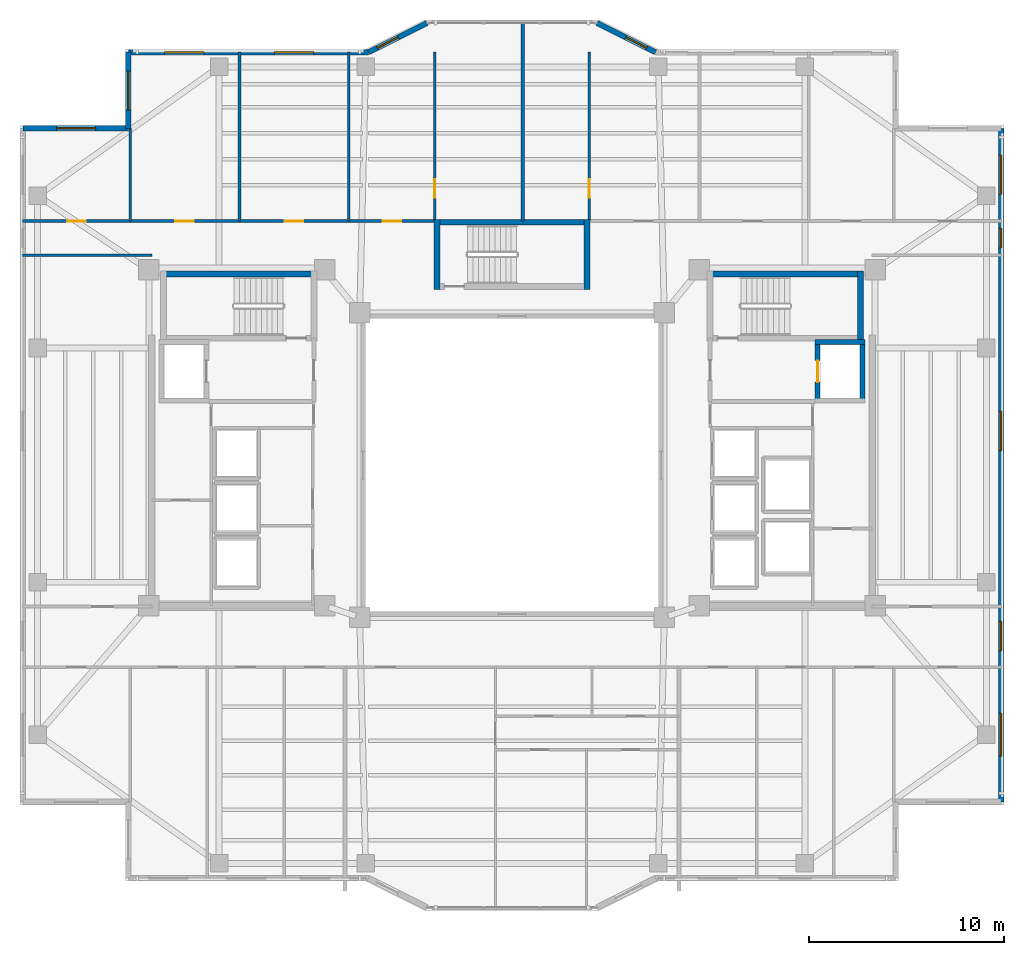
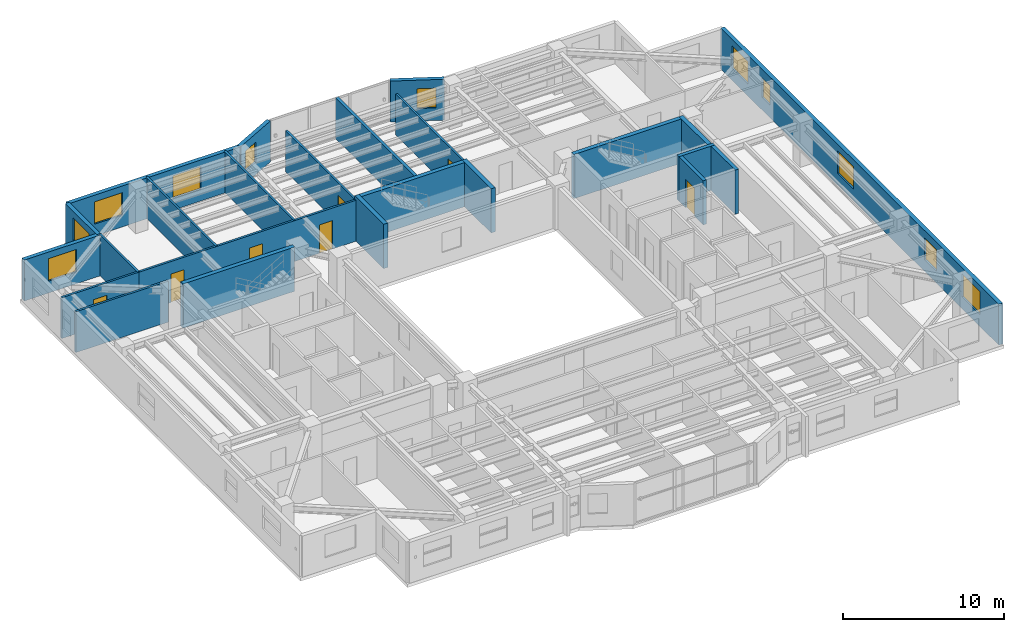
# One storey, part 9 of 15: 24 walls, 11 windows, 7 doors, 18 openings.
"""IFC4 building model written with IfcOpenShell, lengths in metres."""

from ifc_helpers import new_model, si_unit, direction, frame, frame_2d, origin, place, context, subcontext, project, spatial, rectangle, extrude, material, layer, layer_set, type_object, element, fill, save


model = new_model("IFC4")

# Units and contexts
model_context = context("Model", 3, precision=1e-05, world=origin(), true_north=direction((0.0, 1.0)))
body_context = subcontext(model_context, "Body", "Model", "MODEL_VIEW")
ifc_project = project(units=[si_unit("LENGTHUNIT", "METRE"), si_unit("AREAUNIT", "SQUARE_METRE"), si_unit("VOLUMEUNIT", "CUBIC_METRE"), si_unit("PLANEANGLEUNIT", "RADIAN"), si_unit("MASSUNIT", "GRAM", prefix="KILO")], contexts=[model_context])

# Site, building, storey
site_placement = place(None, origin())
site = spatial("IfcSite", under=ifc_project, at=site_placement, CompositionType="ELEMENT")
building_placement = place(site_placement, origin())
building = spatial("IfcBuilding", under=site, at=building_placement, Name="Tarnavaz Court Tower", CompositionType="ELEMENT")
storey_placement = place(building_placement, frame((0.0, 0.0, 142.64990234375)))
storey = spatial("IfcBuildingStorey", under=building, at=storey_placement, Name="L38", CompositionType="ELEMENT", Elevation=142.64990234375)

# Wall, opening, door
ifc_material_1 = material(Name="Concrete C50/60", Category="concrete")
ifc_layer_1 = layer(ifc_material_1, 0.25)
ifc_layer_set_1 = layer_set([ifc_layer_1], Name="Concrete C50/60")
wall_type_1 = type_object("IfcWallType", Name="WL-CORE-250-C50", PredefinedType="SHEAR", material=ifc_layer_set_1)
wall_1_placement = place(storey_placement, frame((15.64990234375, 3.175048828125, 0.0), z_axis=(0.0, 0.0, 1.0), x_axis=(0.0, 1.0, 0.0)))
wall_1 = element("IfcWall", 1, at=wall_1_placement, inside=storey, type_object=wall_type_1, Name="L38 Lift FL-E1 Shaft Wall 033", PredefinedType="SHEAR", context=body_context, shape_type="SweptSolid", body=[
    extrude(rectangle(XDim=3.25, YDim=0.25, at=frame_2d((1.625, 0.0))), origin(), (0.0, 0.0, 1.0), 3.35009765625),
])
opening_1_placement = place(wall_1_placement, frame((1.074951171875, 0.0, 0.0)))
opening_1 = element("IfcOpeningElement", 2, at=opening_1_placement, cuts=wall_1, Name="Opening LD1", PredefinedType="OPENING", context=body_context, shape_type="SweptSolid", body=[
    extrude(rectangle(XDim=1.10009765625, YDim=2.14990234375, at=frame_2d((0.550048828125, 1.074951171875))), frame((0.0, 0.135009765625, 0.0), z_axis=(0.0, -1.0, 0.0), x_axis=(1.0, 0.0, 0.0)), (0.0, 0.0, 1.0), 0.27001953125),
])
ifc_material_2 = material(Name="Stainless Steel", Category="steel")
door_type_1 = type_object("IfcDoorType", Name="DR-LD-1100", OperationType="NOTDEFINED", PredefinedType="DOOR", material=ifc_material_2)
door_1_placement = place(opening_1_placement, origin())
door_1 = element("IfcDoor", 3, at=door_1_placement, inside=storey, type_object=door_type_1, Name="L38 Lift Landing Door LD-FL-E1", OperationType="SLIDING_TO_LEFT", OverallHeight=2.14990234375, OverallWidth=1.10009765625, PredefinedType="DOOR", context=body_context, shape_type="SweptSolid", body=[
    extrude(rectangle(XDim=1.10009765625, YDim=2.14990234375, at=frame_2d((0.550048828125, 1.074951171875))), frame((0.0, 0.02490234375, 0.0), z_axis=(0.0, -1.0, 0.0), x_axis=(1.0, 0.0, 0.0)), (0.0, 0.0, 1.0), 0.050048828125),
])
fill(opening_1, door_1)

# Walls
wall_2_placement = place(storey_placement, frame((17.949951171875, 3.175048828125, 0.0), z_axis=(0.0, 0.0, 1.0), x_axis=(0.0, 1.0, 0.0)))
element("IfcWall", 4, at=wall_2_placement, inside=storey, type_object=wall_type_1, Name="L38 Lift FL-E1 Shaft Wall 034", PredefinedType="SHEAR", context=body_context, shape_type="SweptSolid", body=[
    extrude(rectangle(XDim=3.25, YDim=0.25, at=frame_2d((1.625, 0.0))), origin(), (0.0, 0.0, 1.0), 3.35009765625),
])
wall_3_placement = place(storey_placement, frame((15.52490234375, 6.300048828125, 0.0), z_axis=(0.0, 0.0, 1.0), x_axis=(1.0, 0.0, 0.0)))
element("IfcWall", 5, at=wall_3_placement, inside=storey, type_object=wall_type_1, Name="L38 Lift FL-E1 Shaft Wall 036", PredefinedType="SHEAR", context=body_context, shape_type="SweptSolid", body=[
    extrude(rectangle(XDim=2.550048828125, YDim=0.25, at=frame_2d((1.27490234375, 0.0))), origin(), (0.0, 0.0, 1.0), 3.35009765625),
])
ifc_layer_2 = layer(ifc_material_1, 0.300048828125)
ifc_layer_set_2 = layer_set([ifc_layer_2], Name="Concrete C50/60")
wall_type_2 = type_object("IfcWallType", Name="WL-CORE-300-C50", PredefinedType="SHEAR", material=ifc_layer_set_2)
for number, where, z_axis, x_axis, name in (
    (6, (-18.0, 9.7900390625, 0.0), (0.0, 0.0, 1.0), (1.0, 0.0, 0.0), "L38 West Stair Core Wall 001"),
    (7, (10.0, 9.7900390625, 0.0), (0.0, 0.0, 1.0), (1.0, 0.0, 0.0), "L38 East Stair Core Wall 005"),
):
    element("IfcWall", number, at=place(storey_placement, frame(where, z_axis=z_axis, x_axis=x_axis)), inside=storey, type_object=wall_type_2, Name=name, PredefinedType="SHEAR", context=body_context, shape_type="SweptSolid", body=[
        extrude(rectangle(XDim=8.0, YDim=0.300048828125, at=frame_2d((4.0, 0.0))), origin(), (0.0, 0.0, 1.0), 3.35009765625),
    ])
wall_4_placement = place(storey_placement, frame((17.85009765625, 6.35009765625, 0.0), z_axis=(0.0, 0.0, 1.0), x_axis=(0.0, 1.0, 0.0)))
element("IfcWall", 8, at=wall_4_placement, inside=storey, type_object=wall_type_2, Name="L38 East Stair Core Wall 008", PredefinedType="SHEAR", context=body_context, shape_type="SweptSolid", body=[
    extrude(rectangle(XDim=3.58984375, YDim=0.300048828125, at=frame_2d((1.794921875, 0.0))), origin(), (0.0, 0.0, 1.0), 3.35009765625),
])
wall_5_placement = place(storey_placement, frame((-4.0, 12.43994140625, 0.0), z_axis=(0.0, 0.0, 1.0), x_axis=(1.0, 0.0, 0.0)))
element("IfcWall", 9, at=wall_5_placement, inside=storey, type_object=wall_type_2, Name="L38 North Stair Core Wall 009", PredefinedType="SHEAR", context=body_context, shape_type="SweptSolid", body=[
    extrude(rectangle(XDim=8.0, YDim=0.300048828125, at=frame_2d((4.0, 0.0))), origin(), (0.0, 0.0, 1.0), 3.35009765625),
])
for number, where, z_axis, x_axis, name in (
    (10, (-3.85009765625, 9.0, 0.0), (0.0, 0.0, 1.0), (0.0, 1.0, 0.0), "L38 North Stair Core Wall 011"),
    (11, (3.85009765625, 9.0, 0.0), (0.0, 0.0, 1.0), (0.0, 1.0, 0.0), "L38 North Stair Core Wall 012"),
):
    element("IfcWall", number, at=place(storey_placement, frame(where, z_axis=z_axis, x_axis=x_axis)), inside=storey, type_object=wall_type_2, Name=name, PredefinedType="SHEAR", context=body_context, shape_type="SweptSolid", body=[
        extrude(rectangle(XDim=3.590087890625, YDim=0.300048828125, at=frame_2d((1.794921875, 0.0))), origin(), (0.0, 0.0, 1.0), 3.35009765625),
    ])

# Wall, opening, window
ifc_material_3 = material(Name="Precast Concrete C40/50", Category="concrete")
ifc_layer_3 = layer(ifc_material_3, 0.280029296875)
ifc_layer_set_3 = layer_set([ifc_layer_3], Name="Precast Concrete C40/50")
wall_type_3 = type_object("IfcWallType", Name="WL-EXT-280", PredefinedType="SOLIDWALL", material=ifc_layer_set_3)
wall_6_placement = place(storey_placement, frame((-25.050048828125, 17.25, 0.0), z_axis=(0.0, 0.0, 1.0), x_axis=(1.0, 0.0, 0.0)))
wall_6 = element("IfcWall", 12, at=wall_6_placement, inside=storey, type_object=wall_type_3, Name="L38 Exterior Terracotta Facade Wall 03", PredefinedType="SOLIDWALL", context=body_context, shape_type="SweptSolid", body=[
    extrude(rectangle(XDim=5.400146484375, YDim=0.280029296875, at=frame_2d((2.7001953125, 0.0))), origin(), (0.0, 0.0, 1.0), 3.10009765625),
])
opening_2_placement = place(wall_6_placement, frame((1.72509765625, 0.0, 0.89990234375)))
opening_2 = element("IfcOpeningElement", 13, at=opening_2_placement, cuts=wall_6, Name="Opening W08", PredefinedType="OPENING", context=body_context, shape_type="SweptSolid", body=[
    extrude(rectangle(XDim=2.0, YDim=1.699951171875, at=frame_2d((1.0, 0.85009765625))), frame((0.0, 0.14990234375, 0.0), z_axis=(0.0, -1.0, 0.0), x_axis=(1.0, 0.0, 0.0)), (0.0, 0.0, 1.0), 0.300048828125),
])
ifc_material_4 = material(Name="Double-Glazed Solar Low-E Glass", Category="glass")
window_type_1 = type_object("IfcWindowType", Name="WN-APT-2000", PartitioningType="DOUBLE_PANEL_VERTICAL", PredefinedType="WINDOW", material=ifc_material_4)
window_1_placement = place(opening_2_placement, origin())
window_1 = element("IfcWindow", 14, at=window_1_placement, inside=storey, type_object=window_type_1, Name="L38 North-West Corner Sunroom Study Window", OverallHeight=1.699951171875, OverallWidth=2.0, PartitioningType="SINGLE_PANEL", PredefinedType="WINDOW", context=body_context, shape_type="SweptSolid", body=[
    extrude(rectangle(XDim=2.0, YDim=1.699951171875, at=frame_2d((1.0, 0.85009765625))), frame((0.0, 0.030029296875, 0.0), z_axis=(0.0, -1.0, 0.0), x_axis=(1.0, 0.0, 0.0)), (0.0, 0.0, 1.0), 0.06005859375),
])
fill(opening_2, window_1)

wall_7_placement = place(storey_placement, frame((-19.64990234375, 17.25, 0.0), z_axis=(0.0, 0.0, 1.0), x_axis=(0.0, 1.0, 0.0)))
wall_7 = element("IfcWall", 15, at=wall_7_placement, inside=storey, type_object=wall_type_3, Name="L38 Exterior Terracotta Facade Wall 04", PredefinedType="SOLIDWALL", context=body_context, shape_type="SweptSolid", body=[
    extrude(rectangle(XDim=3.89990234375, YDim=0.280029296875, at=frame_2d((1.949951171875, 0.0))), origin(), (0.0, 0.0, 1.0), 3.10009765625),
])
opening_3_placement = place(wall_7_placement, frame((0.93212890625, 0.0, 0.89990234375)))
opening_3 = element("IfcOpeningElement", 16, at=opening_3_placement, cuts=wall_7, Name="Opening W08", PredefinedType="OPENING", context=body_context, shape_type="SweptSolid", body=[
    extrude(rectangle(XDim=2.0, YDim=1.699951171875, at=frame_2d((1.0, 0.85009765625))), frame((0.0, 0.14990234375, 0.0), z_axis=(0.0, -1.0, 0.0), x_axis=(1.0, 0.0, 0.0)), (0.0, 0.0, 1.0), 0.300048828125),
])
window_2_placement = place(opening_3_placement, origin())
window_2 = element("IfcWindow", 17, at=window_2_placement, inside=storey, type_object=window_type_1, Name="L38 Resident Co-Working Study Room Window", OverallHeight=1.699951171875, OverallWidth=2.0, PartitioningType="SINGLE_PANEL", PredefinedType="WINDOW", context=body_context, shape_type="SweptSolid", body=[
    extrude(rectangle(XDim=2.0, YDim=1.699951171875, at=frame_2d((1.0, 0.85009765625))), frame((0.0, 0.030029296875, 0.0), z_axis=(0.0, -1.0, 0.0), x_axis=(1.0, 0.0, 0.0)), (0.0, 0.0, 1.0), 0.06005859375),
])
fill(opening_3, window_2)

# Wall, openings, windows
wall_8_placement = place(storey_placement, frame((-19.64990234375, 21.14990234375, 0.0), z_axis=(0.0, 0.0, 1.0), x_axis=(1.0, 0.0, 0.0)))
wall_8 = element("IfcWall", 18, at=wall_8_placement, inside=storey, type_object=wall_type_3, Name="L38 Exterior Terracotta Facade Wall 05", PredefinedType="SOLIDWALL", context=body_context, shape_type="SweptSolid", body=[
    extrude(rectangle(XDim=12.2998046875, YDim=0.280029296875, at=frame_2d((6.14990234375, 0.0))), origin(), (0.0, 0.0, 1.0), 3.10009765625),
])
opening_4_placement = place(wall_8_placement, frame((1.861572265625, 0.0, 0.89990234375)))
opening_4 = element("IfcOpeningElement", 19, at=opening_4_placement, cuts=wall_8, Name="Opening W08", PredefinedType="OPENING", context=body_context, shape_type="SweptSolid", body=[
    extrude(rectangle(XDim=2.0, YDim=1.699951171875, at=frame_2d((1.0, 0.85009765625))), frame((0.0, 0.14990234375, 0.0), z_axis=(0.0, -1.0, 0.0), x_axis=(1.0, 0.0, 0.0)), (0.0, 0.0, 1.0), 0.300048828125),
])
opening_5_placement = place(wall_8_placement, frame((7.484619140625, 0.0, 0.89990234375)))
opening_5 = element("IfcOpeningElement", 20, at=opening_5_placement, cuts=wall_8, Name="Opening W08", PredefinedType="OPENING", context=body_context, shape_type="SweptSolid", body=[
    extrude(rectangle(XDim=2.0, YDim=1.699951171875, at=frame_2d((1.0, 0.85009765625))), frame((0.0, 0.14990234375, 0.0), z_axis=(0.0, -1.0, 0.0), x_axis=(1.0, 0.0, 0.0)), (0.0, 0.0, 1.0), 0.300048828125),
])
window_3_placement = place(opening_4_placement, origin())
window_3 = element("IfcWindow", 21, at=window_3_placement, inside=storey, type_object=window_type_1, Name="L38 Resident Co-Working Study Room Window", OverallHeight=1.699951171875, OverallWidth=2.0, PartitioningType="SINGLE_PANEL", PredefinedType="WINDOW", context=body_context, shape_type="SweptSolid", body=[
    extrude(rectangle(XDim=2.0, YDim=1.699951171875, at=frame_2d((1.0, 0.85009765625))), frame((0.0, 0.030029296875, 0.0), z_axis=(0.0, -1.0, 0.0), x_axis=(1.0, 0.0, 0.0)), (0.0, 0.0, 1.0), 0.06005859375),
])
fill(opening_4, window_3)
window_4_placement = place(opening_5_placement, origin())
window_4 = element("IfcWindow", 22, at=window_4_placement, inside=storey, type_object=window_type_1, Name="L38 Quiet Reading Library Room Window", OverallHeight=1.699951171875, OverallWidth=2.0, PartitioningType="SINGLE_PANEL", PredefinedType="WINDOW", context=body_context, shape_type="SweptSolid", body=[
    extrude(rectangle(XDim=2.0, YDim=1.699951171875, at=frame_2d((1.0, 0.85009765625))), frame((0.0, 0.030029296875, 0.0), z_axis=(0.0, -1.0, 0.0), x_axis=(1.0, 0.0, 0.0)), (0.0, 0.0, 1.0), 0.06005859375),
])
fill(opening_5, window_4)

# Wall, opening, window
wall_9_placement = place(storey_placement, frame((-7.35009765625, 21.14990234375, 0.0), z_axis=(0.0, 0.0, 1.0), x_axis=(0.894427191, 0.4472135955, 0.0)))
wall_9 = element("IfcWall", 23, at=wall_9_placement, inside=storey, type_object=wall_type_3, Name="L38 Exterior Terracotta Facade Wall 06", PredefinedType="SOLIDWALL", context=body_context, shape_type="SweptSolid", body=[
    extrude(rectangle(XDim=3.35400390625, YDim=0.280029296875, at=frame_2d((1.677001953125, 0.0))), origin(), (0.0, 0.0, 1.0), 3.10009765625),
])
opening_6_placement = place(wall_9_placement, frame((0.501220703125, 0.0, 0.949951171875)))
opening_6 = element("IfcOpeningElement", 24, at=opening_6_placement, cuts=wall_9, Name="Opening W05", PredefinedType="OPENING", context=body_context, shape_type="SweptSolid", body=[
    extrude(rectangle(XDim=1.199951171875, YDim=1.5, at=frame_2d((0.60009765625, 0.75))), frame((0.0, 0.14990234375, 0.0), z_axis=(0.0, -1.0, 0.0), x_axis=(1.0, 0.0, 0.0)), (0.0, 0.0, 1.0), 0.300048828125),
])
window_type_2 = type_object("IfcWindowType", Name="WN-APT-1200", PartitioningType="SINGLE_PANEL", PredefinedType="WINDOW", material=ifc_material_4)
window_5_placement = place(opening_6_placement, origin())
window_5 = element("IfcWindow", 25, at=window_5_placement, inside=storey, type_object=window_type_2, Name="L38 Resident Focus Seminar Room Window", OverallHeight=1.5, OverallWidth=1.199951171875, PartitioningType="SINGLE_PANEL", PredefinedType="WINDOW", context=body_context, shape_type="SweptSolid", body=[
    extrude(rectangle(XDim=1.199951171875, YDim=1.5, at=frame_2d((0.60009765625, 0.75))), frame((0.0, 0.030029296875, 0.0), z_axis=(0.0, -1.0, 0.0), x_axis=(1.0, 0.0, 0.0)), (0.0, 0.0, 1.0), 0.06005859375),
])
fill(opening_6, window_5)

wall_10_placement = place(storey_placement, frame((4.35009765625, 22.64990234375, 0.0), z_axis=(0.0, 0.0, 1.0), x_axis=(0.894427191, -0.4472135955, 0.0)))
wall_10 = element("IfcWall", 26, at=wall_10_placement, inside=storey, type_object=wall_type_3, Name="L38 Exterior Terracotta Facade Wall 08", PredefinedType="SOLIDWALL", context=body_context, shape_type="SweptSolid", body=[
    extrude(rectangle(XDim=3.35400390625, YDim=0.280029296875, at=frame_2d((1.677001953125, 0.0))), origin(), (0.0, 0.0, 1.0), 3.10009765625),
])
opening_7_placement = place(wall_10_placement, frame((1.65283203125, 0.0, 0.949951171875)))
opening_7 = element("IfcOpeningElement", 27, at=opening_7_placement, cuts=wall_10, Name="Opening W05", PredefinedType="OPENING", context=body_context, shape_type="SweptSolid", body=[
    extrude(rectangle(XDim=1.199951171875, YDim=1.5, at=frame_2d((0.60009765625, 0.75))), frame((0.0, 0.14990234375, 0.0), z_axis=(0.0, -1.0, 0.0), x_axis=(1.0, 0.0, 0.0)), (0.0, 0.0, 1.0), 0.300048828125),
])
window_6_placement = place(opening_7_placement, origin())
window_6 = element("IfcWindow", 28, at=window_6_placement, inside=storey, type_object=window_type_2, Name="L38 Resident Co-Working Study Room Window", OverallHeight=1.5, OverallWidth=1.199951171875, PartitioningType="SINGLE_PANEL", PredefinedType="WINDOW", context=body_context, shape_type="SweptSolid", body=[
    extrude(rectangle(XDim=1.199951171875, YDim=1.5, at=frame_2d((0.60009765625, 0.75))), frame((0.0, 0.030029296875, 0.0), z_axis=(0.0, -1.0, 0.0), x_axis=(1.0, 0.0, 0.0)), (0.0, 0.0, 1.0), 0.06005859375),
])
fill(opening_7, window_6)

# Wall, openings, windows
wall_11_placement = place(storey_placement, frame((25.050048828125, 17.25, 0.0), z_axis=(0.0, 0.0, 1.0), x_axis=(0.0, -1.0, 0.0)))
wall_11 = element("IfcWall", 29, at=wall_11_placement, inside=storey, type_object=wall_type_3, Name="L38 Exterior Terracotta Facade Wall 12", PredefinedType="SOLIDWALL", context=body_context, shape_type="SweptSolid", body=[
    extrude(rectangle(XDim=34.5, YDim=0.280029296875, at=frame_2d((17.25, 0.0))), origin(), (0.0, 0.0, 1.0), 3.10009765625),
])
opening_8_placement = place(wall_11_placement, frame((1.375, 0.0, 0.89990234375)))
opening_8 = element("IfcOpeningElement", 30, at=opening_8_placement, cuts=wall_11, Name="Opening W08", PredefinedType="OPENING", context=body_context, shape_type="SweptSolid", body=[
    extrude(rectangle(XDim=2.0, YDim=1.699951171875, at=frame_2d((1.0, 0.85009765625))), frame((0.0, 0.14990234375, 0.0), z_axis=(0.0, -1.0, 0.0), x_axis=(1.0, 0.0, 0.0)), (0.0, 0.0, 1.0), 0.300048828125),
])
opening_9_placement = place(wall_11_placement, frame((5.125, 0.0, 0.949951171875)))
opening_9 = element("IfcOpeningElement", 31, at=opening_9_placement, cuts=wall_11, Name="Opening W14", PredefinedType="OPENING", context=body_context, shape_type="SweptSolid", body=[
    extrude(rectangle(XDim=1.0, YDim=1.5, at=frame_2d((0.5, 0.75))), frame((0.0, 0.14990234375, 0.0), z_axis=(0.0, -1.0, 0.0), x_axis=(1.0, 0.0, 0.0)), (0.0, 0.0, 1.0), 0.300048828125),
])
opening_10_placement = place(wall_11_placement, frame((14.5, 0.0, 0.89990234375)))
opening_10 = element("IfcOpeningElement", 32, at=opening_10_placement, cuts=wall_11, Name="Opening W08", PredefinedType="OPENING", context=body_context, shape_type="SweptSolid", body=[
    extrude(rectangle(XDim=2.0, YDim=1.699951171875, at=frame_2d((1.0, 0.85009765625))), frame((0.0, 0.14990234375, 0.0), z_axis=(0.0, -1.0, 0.0), x_axis=(1.0, 0.0, 0.0)), (0.0, 0.0, 1.0), 0.300048828125),
])
opening_11_placement = place(wall_11_placement, frame((25.257568359375, 0.0, 0.89990234375)))
opening_11 = element("IfcOpeningElement", 33, at=opening_11_placement, cuts=wall_11, Name="Opening W03", PredefinedType="OPENING", context=body_context, shape_type="SweptSolid", body=[
    extrude(rectangle(XDim=1.5, YDim=1.64990234375, at=frame_2d((0.75, 0.824951171875))), frame((0.0, 0.14990234375, 0.0), z_axis=(0.0, -1.0, 0.0), x_axis=(1.0, 0.0, 0.0)), (0.0, 0.0, 1.0), 0.300048828125),
])
opening_12_placement = place(wall_11_placement, frame((29.949951171875, 0.0, 0.89990234375)))
opening_12 = element("IfcOpeningElement", 34, at=opening_12_placement, cuts=wall_11, Name="Opening W07", PredefinedType="OPENING", context=body_context, shape_type="SweptSolid", body=[
    extrude(rectangle(XDim=2.199951171875, YDim=1.75, at=frame_2d((1.10009765625, 0.875))), frame((0.0, 0.14990234375, 0.0), z_axis=(0.0, -1.0, 0.0), x_axis=(1.0, 0.0, 0.0)), (0.0, 0.0, 1.0), 0.300048828125),
])
window_type_3 = type_object("IfcWindowType", Name="WN-APT-1000", PartitioningType="SINGLE_PANEL", PredefinedType="WINDOW", material=ifc_material_4)
window_7_placement = place(opening_9_placement, origin())
window_7 = element("IfcWindow", 35, at=window_7_placement, inside=storey, type_object=window_type_3, Name="L38 North-East Corner Corridor Window", OverallHeight=1.5, OverallWidth=1.0, PartitioningType="SINGLE_PANEL", PredefinedType="WINDOW", context=body_context, shape_type="SweptSolid", body=[
    extrude(rectangle(XDim=1.0, YDim=1.5, at=frame_2d((0.5, 0.75))), frame((0.0, 0.030029296875, 0.0), z_axis=(0.0, -1.0, 0.0), x_axis=(1.0, 0.0, 0.0)), (0.0, 0.0, 1.0), 0.06005859375),
])
fill(opening_9, window_7)
window_type_4 = type_object("IfcWindowType", Name="WN-APT-1500", PartitioningType="DOUBLE_PANEL_VERTICAL", PredefinedType="WINDOW", material=ifc_material_4)
window_8_placement = place(opening_11_placement, origin())
window_8 = element("IfcWindow", 36, at=window_8_placement, inside=storey, type_object=window_type_4, Name="L38 South-East Corner Corridor Window", OverallHeight=1.64990234375, OverallWidth=1.5, PartitioningType="SINGLE_PANEL", PredefinedType="WINDOW", context=body_context, shape_type="SweptSolid", body=[
    extrude(rectangle(XDim=1.5, YDim=1.64990234375, at=frame_2d((0.75, 0.824951171875))), frame((0.0, 0.030029296875, 0.0), z_axis=(0.0, -1.0, 0.0), x_axis=(1.0, 0.0, 0.0)), (0.0, 0.0, 1.0), 0.06005859375),
])
fill(opening_11, window_8)
window_9_placement = place(opening_8_placement, origin())
window_9 = element("IfcWindow", 37, at=window_9_placement, inside=storey, type_object=window_type_1, Name="L38 North-East Corner Sunroom Study Window", OverallHeight=1.699951171875, OverallWidth=2.0, PartitioningType="SINGLE_PANEL", PredefinedType="WINDOW", context=body_context, shape_type="SweptSolid", body=[
    extrude(rectangle(XDim=2.0, YDim=1.699951171875, at=frame_2d((1.0, 0.85009765625))), frame((0.0, 0.030029296875, 0.0), z_axis=(0.0, -1.0, 0.0), x_axis=(1.0, 0.0, 0.0)), (0.0, 0.0, 1.0), 0.06005859375),
])
fill(opening_8, window_9)
window_10_placement = place(opening_10_placement, origin())
window_10 = element("IfcWindow", 38, at=window_10_placement, inside=storey, type_object=window_type_1, Name="L38 East Wing Resident Fitness Lounge Window", OverallHeight=1.699951171875, OverallWidth=2.0, PartitioningType="SINGLE_PANEL", PredefinedType="WINDOW", context=body_context, shape_type="SweptSolid", body=[
    extrude(rectangle(XDim=2.0, YDim=1.699951171875, at=frame_2d((1.0, 0.85009765625))), frame((0.0, 0.030029296875, 0.0), z_axis=(0.0, -1.0, 0.0), x_axis=(1.0, 0.0, 0.0)), (0.0, 0.0, 1.0), 0.06005859375),
])
fill(opening_10, window_10)
window_type_5 = type_object("IfcWindowType", Name="WN-APT-2200", PartitioningType="TRIPLE_PANEL_VERTICAL", PredefinedType="WINDOW", material=ifc_material_4)
window_11_placement = place(opening_12_placement, origin())
window_11 = element("IfcWindow", 39, at=window_11_placement, inside=storey, type_object=window_type_5, Name="L38 South-East Corner Reading Room Window", OverallHeight=1.75, OverallWidth=2.199951171875, PartitioningType="SINGLE_PANEL", PredefinedType="WINDOW", context=body_context, shape_type="SweptSolid", body=[
    extrude(rectangle(XDim=2.199951171875, YDim=1.75, at=frame_2d((1.10009765625, 0.875))), frame((0.0, 0.030029296875, 0.0), z_axis=(0.0, -1.0, 0.0), x_axis=(1.0, 0.0, 0.0)), (0.0, 0.0, 1.0), 0.06005859375),
])
fill(opening_12, window_11)

# Wall, openings, doors
ifc_material_5 = material(Name="Gypsum Fire-Board on Acoustic Metal Stud", Category="masonry")
ifc_layer_4 = layer(ifc_material_5, 0.14990234375)
ifc_layer_set_4 = layer_set([ifc_layer_4], Name="Gypsum Fire-Board on Acoustic Metal Stud")
wall_type_4 = type_object("IfcWallType", Name="WL-FIRE-150", PredefinedType="PARTITIONING", material=ifc_layer_set_4)
wall_12_placement = place(storey_placement, frame((-19.550048828125, 12.5, 0.0), z_axis=(0.0, 0.0, 1.0), x_axis=(1.0, 0.0, 0.0)))
wall_12 = element("IfcWall", 40, at=wall_12_placement, inside=storey, type_object=wall_type_4, Name="L38 NW Wing Corridor Wall 071", PredefinedType="PARTITIONING", context=body_context, shape_type="SweptSolid", body=[
    extrude(rectangle(XDim=15.699951171875, YDim=0.14990234375, at=frame_2d((7.85009765625, 0.0))), origin(), (0.0, 0.0, 1.0), 3.10009765625),
])
opening_13_placement = place(wall_12_placement, frame((2.2919921875, 0.0, 0.0)))
opening_13 = element("IfcOpeningElement", 41, at=opening_13_placement, cuts=wall_12, Name="Opening D13", PredefinedType="OPENING", context=body_context, shape_type="SweptSolid", body=[
    extrude(rectangle(XDim=0.949951171875, YDim=2.14990234375, at=frame_2d((0.47509765625, 1.074951171875))), frame((0.0, 0.0849609375, 0.0), z_axis=(0.0, -1.0, 0.0), x_axis=(1.0, 0.0, 0.0)), (0.0, 0.0, 1.0), 0.169921875),
])
opening_14_placement = place(wall_12_placement, frame((7.9169921875, 0.0, 0.0)))
opening_14 = element("IfcOpeningElement", 42, at=opening_14_placement, cuts=wall_12, Name="Opening D13", PredefinedType="OPENING", context=body_context, shape_type="SweptSolid", body=[
    extrude(rectangle(XDim=0.949951171875, YDim=2.14990234375, at=frame_2d((0.47509765625, 1.074951171875))), frame((0.0, 0.0849609375, 0.0), z_axis=(0.0, -1.0, 0.0), x_axis=(1.0, 0.0, 0.0)), (0.0, 0.0, 1.0), 0.169921875),
])
opening_15_placement = place(wall_12_placement, frame((12.919921875, 0.0, 0.0)))
opening_15 = element("IfcOpeningElement", 43, at=opening_15_placement, cuts=wall_12, Name="Opening D13", PredefinedType="OPENING", context=body_context, shape_type="SweptSolid", body=[
    extrude(rectangle(XDim=0.949951171875, YDim=2.14990234375, at=frame_2d((0.47509765625, 1.074951171875))), frame((0.0, 0.0849609375, 0.0), z_axis=(0.0, -1.0, 0.0), x_axis=(1.0, 0.0, 0.0)), (0.0, 0.0, 1.0), 0.169921875),
])
ifc_material_6 = material(Name="Engineered Oak Timber", Category="wood")
door_type_2 = type_object("IfcDoorType", Name="DR-INT-950", OperationType="NOTDEFINED", PredefinedType="DOOR", material=ifc_material_6)
door_2_placement = place(opening_13_placement, origin())
door_2 = element("IfcDoor", 44, at=door_2_placement, inside=storey, type_object=door_type_2, Name="L38 Resident Co-Working Study Room Door", OperationType="SINGLE_SWING_LEFT", OverallHeight=2.14990234375, OverallWidth=0.949951171875, PredefinedType="DOOR", context=body_context, shape_type="SweptSolid", body=[
    extrude(rectangle(XDim=0.949951171875, YDim=2.14990234375, at=frame_2d((0.47509765625, 1.074951171875))), frame((0.0, 0.02490234375, 0.0), z_axis=(0.0, -1.0, 0.0), x_axis=(1.0, 0.0, 0.0)), (0.0, 0.0, 1.0), 0.050048828125),
])
fill(opening_13, door_2)
door_3_placement = place(opening_14_placement, origin())
door_3 = element("IfcDoor", 45, at=door_3_placement, inside=storey, type_object=door_type_2, Name="L38 Quiet Reading Library Room Door", OperationType="SINGLE_SWING_RIGHT", OverallHeight=2.14990234375, OverallWidth=0.949951171875, PredefinedType="DOOR", context=body_context, shape_type="SweptSolid", body=[
    extrude(rectangle(XDim=0.949951171875, YDim=2.14990234375, at=frame_2d((0.47509765625, 1.074951171875))), frame((0.0, 0.02490234375, 0.0), z_axis=(0.0, -1.0, 0.0), x_axis=(1.0, 0.0, 0.0)), (0.0, 0.0, 1.0), 0.050048828125),
])
fill(opening_14, door_3)
door_4_placement = place(opening_15_placement, origin())
door_4 = element("IfcDoor", 46, at=door_4_placement, inside=storey, type_object=door_type_2, Name="L38 Resident Focus Seminar Room Door", OperationType="SINGLE_SWING_LEFT", OverallHeight=2.14990234375, OverallWidth=0.949951171875, PredefinedType="DOOR", context=body_context, shape_type="SweptSolid", body=[
    extrude(rectangle(XDim=0.949951171875, YDim=2.14990234375, at=frame_2d((0.47509765625, 1.074951171875))), frame((0.0, 0.02490234375, 0.0), z_axis=(0.0, -1.0, 0.0), x_axis=(1.0, 0.0, 0.0)), (0.0, 0.0, 1.0), 0.050048828125),
])
fill(opening_15, door_4)

# Wall
wall_13_placement = place(storey_placement, frame((-25.080078125, 10.75, 0.0), z_axis=(0.0, 0.0, 1.0), x_axis=(1.0, 0.0, 0.0)))
element("IfcWall", 47, at=wall_13_placement, inside=storey, type_object=wall_type_4, Name="L38 Interior Partition 096", PredefinedType="PARTITIONING", context=body_context, shape_type="SweptSolid", body=[
    extrude(rectangle(XDim=6.630126953125, YDim=0.14990234375, at=frame_2d((3.31494140625, 0.0))), origin(), (0.0, 0.0, 1.0), 3.10009765625),
])

# Wall, opening, door
wall_14_placement = place(storey_placement, frame((-25.080078125, 12.5, 0.0), z_axis=(0.0, 0.0, 1.0), x_axis=(1.0, 0.0, 0.0)))
wall_14 = element("IfcWall", 48, at=wall_14_placement, inside=storey, type_object=wall_type_4, Name="L38 Interior Partition 103", PredefinedType="PARTITIONING", context=body_context, shape_type="SweptSolid", body=[
    extrude(rectangle(XDim=5.530029296875, YDim=0.14990234375, at=frame_2d((2.76513671875, 0.0))), origin(), (0.0, 0.0, 1.0), 3.10009765625),
])
opening_16_placement = place(wall_14_placement, frame((2.2900390625, 0.0, 0.0)))
opening_16 = element("IfcOpeningElement", 49, at=opening_16_placement, cuts=wall_14, Name="Opening D13", PredefinedType="OPENING", context=body_context, shape_type="SweptSolid", body=[
    extrude(rectangle(XDim=0.949951171875, YDim=2.14990234375, at=frame_2d((0.47509765625, 1.074951171875))), frame((0.0, 0.0849609375, 0.0), z_axis=(0.0, -1.0, 0.0), x_axis=(1.0, 0.0, 0.0)), (0.0, 0.0, 1.0), 0.169921875),
])
door_5_placement = place(opening_16_placement, origin())
door_5 = element("IfcDoor", 50, at=door_5_placement, inside=storey, type_object=door_type_2, Name="L38 NW Sunroom Door", OperationType="SINGLE_SWING_LEFT", OverallHeight=2.14990234375, OverallWidth=0.949951171875, PredefinedType="DOOR", context=body_context, shape_type="SweptSolid", body=[
    extrude(rectangle(XDim=0.949951171875, YDim=2.14990234375, at=frame_2d((0.47509765625, 1.074951171875))), frame((0.0, 0.02490234375, 0.0), z_axis=(0.0, -1.0, 0.0), x_axis=(1.0, 0.0, 0.0)), (0.0, 0.0, 1.0), 0.050048828125),
])
fill(opening_16, door_5)

# Wall
ifc_material_7 = material(Name="Autoclaved Aerated Concrete Blockwork", Category="masonry")
ifc_layer_5 = layer(ifc_material_7, 0.199951171875)
ifc_layer_set_5 = layer_set([ifc_layer_5], Name="Autoclaved Aerated Concrete Blockwork")
wall_type_5 = type_object("IfcWallType", Name="WL-FIRE-200", PredefinedType="SOLIDWALL", material=ifc_layer_set_5)
wall_15_placement = place(storey_placement, frame((0.550048828125, 12.5, 0.0), z_axis=(0.0, 0.0, 1.0), x_axis=(0.0, 1.0, 0.0)))
element("IfcWall", 51, at=wall_15_placement, inside=storey, type_object=wall_type_5, Name="L38 North Center Party Wall 075", PredefinedType="SOLIDWALL", context=body_context, shape_type="SweptSolid", body=[
    extrude(rectangle(XDim=10.179931640625, YDim=0.199951171875, at=frame_2d((5.08984375, 0.0))), origin(), (0.0, 0.0, 1.0), 3.10009765625),
])

# Wall, opening, door
ifc_material_8 = material(Name="Gypsum Plasterboard Acoustic Partition", Category="masonry")
ifc_layer_6 = layer(ifc_material_8, 0.139892578125)
ifc_layer_set_6 = layer_set([ifc_layer_6], Name="Gypsum Plasterboard Acoustic Partition")
wall_type_6 = type_object("IfcWallType", Name="WL-PART-150", PredefinedType="PARTITIONING", material=ifc_layer_set_6)
wall_16_placement = place(storey_placement, frame((-3.949951171875, 12.5, 0.0), z_axis=(0.0, 0.0, 1.0), x_axis=(0.0, 1.0, 0.0)))
wall_16 = element("IfcWall", 52, at=wall_16_placement, inside=storey, type_object=wall_type_6, Name="L38 Interior Partition 076", PredefinedType="PARTITIONING", context=body_context, shape_type="SweptSolid", body=[
    extrude(rectangle(XDim=8.64990234375, YDim=0.139892578125, at=frame_2d((4.324951171875, 0.0))), origin(), (0.0, 0.0, 1.0), 3.10009765625),
])
opening_17_placement = place(wall_16_placement, frame((1.199951171875, 0.0, 0.0)))
opening_17 = element("IfcOpeningElement", 53, at=opening_17_placement, cuts=wall_16, Name="Opening D13", PredefinedType="OPENING", context=body_context, shape_type="SweptSolid", body=[
    extrude(rectangle(XDim=0.949951171875, YDim=2.14990234375, at=frame_2d((0.47509765625, 1.074951171875))), frame((0.0, 0.079833984375, 0.0), z_axis=(0.0, -1.0, 0.0), x_axis=(1.0, 0.0, 0.0)), (0.0, 0.0, 1.0), 0.159912109375),
])
door_6_placement = place(opening_17_placement, origin())
door_6 = element("IfcDoor", 54, at=door_6_placement, inside=storey, type_object=door_type_2, Name="L38 NW Iwan Study Door", OperationType="SINGLE_SWING_RIGHT", OverallHeight=2.14990234375, OverallWidth=0.949951171875, PredefinedType="DOOR", context=body_context, shape_type="SweptSolid", body=[
    extrude(rectangle(XDim=0.949951171875, YDim=2.14990234375, at=frame_2d((0.47509765625, 1.074951171875))), frame((0.0, 0.02490234375, 0.0), z_axis=(0.0, -1.0, 0.0), x_axis=(1.0, 0.0, 0.0)), (0.0, 0.0, 1.0), 0.050048828125),
])
fill(opening_17, door_6)

# Walls
for number, where, z_axis, x_axis, name in (
    (55, (-13.9560546875, 12.5, 0.0), (0.0, 0.0, 1.0), (0.0, 1.0, 0.0), "L38 Interior Partition 077"),
    (56, (-8.361083984375, 12.5, 0.0), (0.0, 0.0, 1.0), (0.0, 1.0, 0.0), "L38 Interior Partition 078"),
):
    element("IfcWall", number, at=place(storey_placement, frame(where, z_axis=z_axis, x_axis=x_axis)), inside=storey, type_object=wall_type_6, Name=name, PredefinedType="PARTITIONING", context=body_context, shape_type="SweptSolid", body=[
        extrude(rectangle(XDim=8.64990234375, YDim=0.139892578125, at=frame_2d((4.324951171875, 0.0))), origin(), (0.0, 0.0, 1.0), 3.10009765625),
    ])

# Wall, opening, door
wall_17_placement = place(storey_placement, frame((3.949951171875, 12.5, 0.0), z_axis=(0.0, 0.0, 1.0), x_axis=(0.0, 1.0, 0.0)))
wall_17 = element("IfcWall", 57, at=wall_17_placement, inside=storey, type_object=wall_type_6, Name="L38 Interior Partition 079", PredefinedType="PARTITIONING", context=body_context, shape_type="SweptSolid", body=[
    extrude(rectangle(XDim=8.64990234375, YDim=0.139892578125, at=frame_2d((4.324951171875, 0.0))), origin(), (0.0, 0.0, 1.0), 3.10009765625),
])
opening_18_placement = place(wall_17_placement, frame((1.199951171875, 0.0, 0.0)))
opening_18 = element("IfcOpeningElement", 58, at=opening_18_placement, cuts=wall_17, Name="Opening D13", PredefinedType="OPENING", context=body_context, shape_type="SweptSolid", body=[
    extrude(rectangle(XDim=0.949951171875, YDim=2.14990234375, at=frame_2d((0.47509765625, 1.074951171875))), frame((0.0, 0.079833984375, 0.0), z_axis=(0.0, -1.0, 0.0), x_axis=(1.0, 0.0, 0.0)), (0.0, 0.0, 1.0), 0.159912109375),
])
door_7_placement = place(opening_18_placement, origin())
door_7 = element("IfcDoor", 59, at=door_7_placement, inside=storey, type_object=door_type_2, Name="L38 NE Iwan Reading Door", OperationType="SINGLE_SWING_RIGHT", OverallHeight=2.14990234375, OverallWidth=0.949951171875, PredefinedType="DOOR", context=body_context, shape_type="SweptSolid", body=[
    extrude(rectangle(XDim=0.949951171875, YDim=2.14990234375, at=frame_2d((0.47509765625, 1.074951171875))), frame((0.0, 0.02490234375, 0.0), z_axis=(0.0, -1.0, 0.0), x_axis=(1.0, 0.0, 0.0)), (0.0, 0.0, 1.0), 0.050048828125),
])
fill(opening_18, door_7)

# Wall
wall_18_placement = place(storey_placement, frame((-19.550048828125, 12.5, 0.0), z_axis=(0.0, 0.0, 1.0), x_axis=(0.0, 1.0, 0.0)))
element("IfcWall", 60, at=wall_18_placement, inside=storey, type_object=wall_type_6, Name="L38 Interior Partition 101", PredefinedType="PARTITIONING", context=body_context, shape_type="SweptSolid", body=[
    extrude(rectangle(XDim=4.75, YDim=0.139892578125, at=frame_2d((2.375, 0.0))), origin(), (0.0, 0.0, 1.0), 3.10009765625),
])

save(model, "model.ifc")
